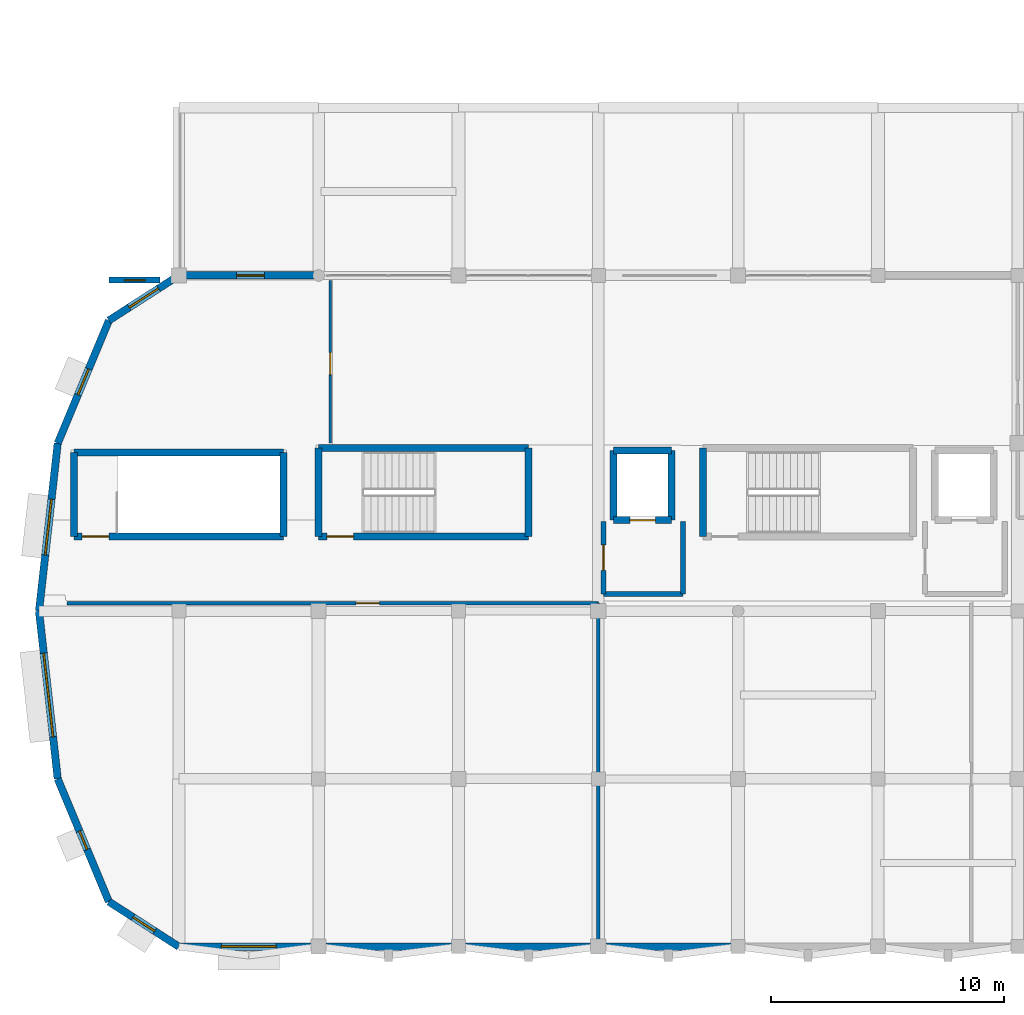
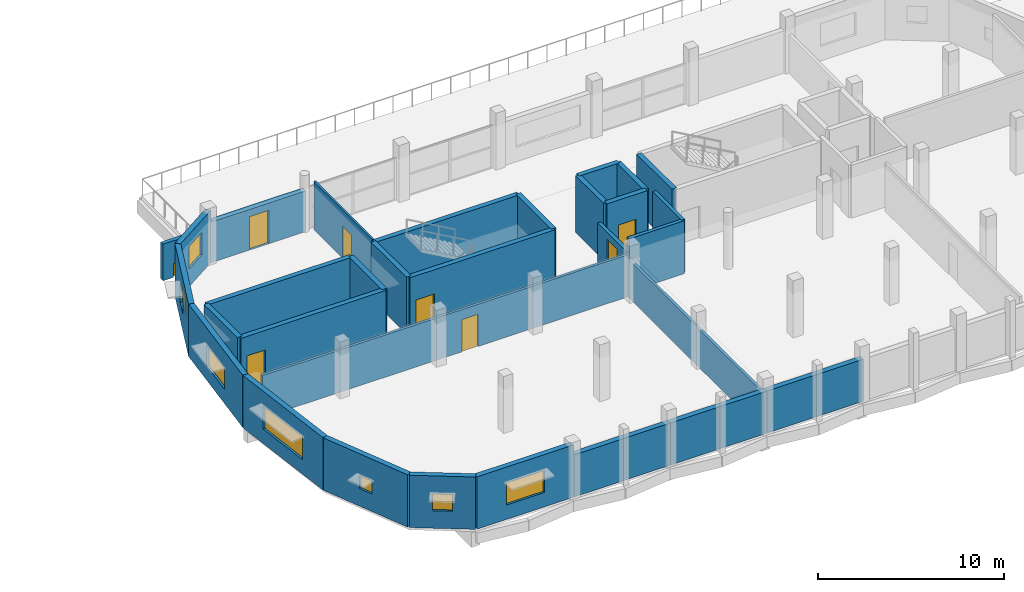
# One storey, part 12 of 19: 31 walls, 8 doors, 7 windows, 15 openings.
"""IFC4 building model written with IfcOpenShell, lengths in metres."""

from ifc_helpers import new_model, si_unit, direction, frame, frame_2d, origin, place, context, subcontext, project, spatial, rectangle, extrude, material, layer, layer_set, type_object, element, fill, save


model = new_model("IFC4")

# Units and contexts
model_context = context("Model", 3, precision=1e-05, world=origin(), true_north=direction((0.0, 1.0)))
body_context = subcontext(model_context, "Body", "Model", "MODEL_VIEW")
ifc_project = project(units=[si_unit("LENGTHUNIT", "METRE"), si_unit("AREAUNIT", "SQUARE_METRE"), si_unit("VOLUMEUNIT", "CUBIC_METRE"), si_unit("PLANEANGLEUNIT", "RADIAN"), si_unit("MASSUNIT", "GRAM", prefix="KILO")], contexts=[model_context])

# Site, building, storey
site_placement = place(None, origin())
site = spatial("IfcSite", under=ifc_project, at=site_placement, CompositionType="ELEMENT")
building_placement = place(site_placement, origin())
building = spatial("IfcBuilding", under=site, at=building_placement, Name="Dunvalen Ferry Terminal", CompositionType="ELEMENT")
storey_placement = place(building_placement, frame((0.0, 0.0, 13.580078125)))
storey = spatial("IfcBuildingStorey", under=building, at=storey_placement, Name="L03", CompositionType="ELEMENT", Elevation=13.580078125)

# Wall, opening, door
ifc_material_1 = material(Name="Concrete C40/50", Category="concrete")
ifc_layer_1 = layer(ifc_material_1, 0.25, Name="Concrete C40/50")
ifc_layer_set_1 = layer_set([ifc_layer_1], Name="Concrete C40/50")
wall_type_1 = type_object("IfcWallType", Name="ENV-WL-OVR250", PredefinedType="SOLIDWALL", material=ifc_layer_set_1)
wall_1_placement = place(storey_placement, frame((15.0, 28.60009765625, 0.0), z_axis=(0.0, 0.0, 1.0), x_axis=(1.0, 0.0, 0.0)))
wall_1 = element("IfcWall", 1, at=wall_1_placement, inside=storey, type_object=wall_type_1, Name="L03 Marine Services Riser Bulkhead", PredefinedType="SOLIDWALL", context=body_context, shape_type="SweptSolid", body=[
    extrude(rectangle(XDim=2.199951171875, YDim=0.25, at=frame_2d((1.10009765625, 0.0))), origin(), (0.0, 0.0, 1.0), 2.39990234375),
])
opening_1_placement = place(wall_1_placement, frame((0.64990234375, 0.0, 0.0)))
opening_1 = element("IfcOpeningElement", 2, at=opening_1_placement, cuts=wall_1, Name="Opening TD-01", PredefinedType="OPENING", context=body_context, shape_type="SweptSolid", body=[
    extrude(rectangle(XDim=0.89990234375, YDim=0.89990234375, at=frame_2d((0.449951171875, 0.449951171875))), frame((0.0, 0.135009765625, 0.0), z_axis=(0.0, -1.0, 0.0), x_axis=(1.0, 0.0, 0.0)), (0.0, 0.0, 1.0), 0.27001953125),
])
ifc_material_2 = material(Name="Marine grade powder-coated aluminium and laminated glass", Category="aluminium")
door_type_1 = type_object("IfcDoorType", Name="ENV-DR-TRP-900", OperationType="SINGLE_SWING_LEFT", PredefinedType="TRAPDOOR", material=ifc_material_2)
door_1_placement = place(opening_1_placement, origin())
door_1 = element("IfcDoor", 3, at=door_1_placement, inside=storey, type_object=door_type_1, Name="L03 Riser Maintenance Access Trapdoor", OperationType="SINGLE_SWING_LEFT", OverallHeight=0.89990234375, OverallWidth=0.89990234375, PredefinedType="TRAPDOOR", context=body_context, shape_type="SweptSolid", body=[
    extrude(rectangle(XDim=0.89990234375, YDim=0.89990234375, at=frame_2d((0.449951171875, 0.449951171875))), frame((0.0, 0.02490234375, 0.0), z_axis=(0.0, -1.0, 0.0), x_axis=(1.0, 0.0, 0.0)), (0.0, 0.0, 1.0), 0.050048828125),
])
fill(opening_1, door_1)

# Wall, opening, window
ifc_material_3 = material(Name="Precast concrete C40/50", Category="concrete")
ifc_layer_2 = layer(ifc_material_3, 0.320068359375, Name="Precast concrete C40/50")
ifc_layer_set_2 = layer_set([ifc_layer_2], Name="Precast concrete C40/50")
wall_type_2 = type_object("IfcWallType", Name="ENV-WL-SPN320", PredefinedType="SOLIDWALL", material=ifc_layer_set_2)
wall_2_placement = place(storey_placement, frame((18.0, 0.0, 0.0), z_axis=(0.0, 0.0, 1.0), x_axis=(1.0, 0.0, 0.0)))
wall_2 = element("IfcWall", 4, at=wall_2_placement, inside=storey, type_object=wall_type_2, Name="L03 Streamline Moderne Facade Wall 01.01", PredefinedType="SOLIDWALL", context=body_context, shape_type="SweptSolid", body=[
    extrude(rectangle(XDim=6.0, YDim=0.320068359375, at=frame_2d((3.0, 0.0))), origin(), (0.0, 0.0, 1.0), 3.43994140625),
])
opening_2_placement = place(wall_2_placement, frame((1.824951171875, 0.0, 0.949951171875)))
opening_2 = element("IfcOpeningElement", 5, at=opening_2_placement, cuts=wall_2, Name="Opening W-39", PredefinedType="OPENING", context=body_context, shape_type="SweptSolid", body=[
    extrude(rectangle(XDim=2.35009765625, YDim=1.449951171875, at=frame_2d((1.175048828125, 0.72509765625))), frame((0.0, 0.169921875, 0.0), z_axis=(0.0, -1.0, 0.0), x_axis=(1.0, 0.0, 0.0)), (0.0, 0.0, 1.0), 0.340087890625),
])
ifc_material_4 = material(Name="Thermally broken aluminium and double glazing", Category="aluminium")
window_type_1 = type_object("IfcWindowType", Name="ENV-WIN-RIB-39", PartitioningType="SINGLE_PANEL", PredefinedType="WINDOW", material=ifc_material_4)
window_1_placement = place(opening_2_placement, origin())
window_1 = element("IfcWindow", 6, at=window_1_placement, inside=storey, type_object=window_type_1, Name="L03 Streamline Ribbon Window 01.01", OverallHeight=1.449951171875, OverallWidth=2.35009765625, PartitioningType="SINGLE_PANEL", PredefinedType="WINDOW", context=body_context, shape_type="SweptSolid", body=[
    extrude(rectangle(XDim=2.35009765625, YDim=1.449951171875, at=frame_2d((1.175048828125, 0.72509765625))), frame((0.0, 0.030029296875, 0.0), z_axis=(0.0, -1.0, 0.0), x_axis=(1.0, 0.0, 0.0)), (0.0, 0.0, 1.0), 0.06005859375),
])
fill(opening_2, window_1)

# Walls
for number, where, z_axis, x_axis, name in (
    (7, (24.0, 0.0, 0.0), (0.0, 0.0, 1.0), (1.0, 0.0, 0.0), "L03 Streamline Moderne Facade Wall 01.02"),
    (8, (30.0, 0.0, 0.0), (0.0, 0.0, 1.0), (1.0, 0.0, 0.0), "L03 Streamline Moderne Facade Wall 01.03"),
    (9, (36.0, 0.0, 0.0), (0.0, 0.0, 1.0), (1.0, 0.0, 0.0), "L03 Streamline Moderne Facade Wall 01.04"),
):
    element("IfcWall", number, at=place(storey_placement, frame(where, z_axis=z_axis, x_axis=x_axis)), inside=storey, type_object=wall_type_2, Name=name, PredefinedType="SOLIDWALL", context=body_context, shape_type="SweptSolid", body=[
        extrude(rectangle(XDim=6.0, YDim=0.320068359375, at=frame_2d((3.0, 0.0))), origin(), (0.0, 0.0, 1.0), 2.77001953125),
    ])

# Wall, opening, door
wall_3_placement = place(storey_placement, frame((24.0, 28.800048828125, 0.0), z_axis=(0.0, 0.0, 1.0), x_axis=(-1.0, 0.0, 0.0)))
wall_3 = element("IfcWall", 10, at=wall_3_placement, inside=storey, type_object=wall_type_2, Name="L03 Streamline Moderne Facade Wall 08.07", PredefinedType="SOLIDWALL", context=body_context, shape_type="SweptSolid", body=[
    extrude(rectangle(XDim=6.0, YDim=0.320068359375, at=frame_2d((3.0, 0.0))), origin(), (0.0, 0.0, 1.0), 2.669921875),
])
opening_3_placement = place(wall_3_placement, frame((2.32373046875, 0.0, 0.0)))
opening_3 = element("IfcOpeningElement", 11, at=opening_3_placement, cuts=wall_3, Name="Opening ED-05", PredefinedType="OPENING", context=body_context, shape_type="SweptSolid", body=[
    extrude(rectangle(XDim=1.199951171875, YDim=2.199951171875, at=frame_2d((0.60009765625, 1.10009765625))), frame((0.0, 0.169921875, 0.0), z_axis=(0.0, -1.0, 0.0), x_axis=(1.0, 0.0, 0.0)), (0.0, 0.0, 1.0), 0.340087890625),
])
door_type_2 = type_object("IfcDoorType", Name="ENV-DR-EXT-1200", OperationType="NOTDEFINED", PredefinedType="DOOR", material=ifc_material_2)
door_2_placement = place(opening_3_placement, frame((1.199951171875, 0.0, 0.0), z_axis=(0.0, 0.0, 1.0), x_axis=(-1.0, 0.0, 0.0)))
door_2 = element("IfcDoor", 12, at=door_2_placement, inside=storey, type_object=door_type_2, Name="L03 Stepped Harbour Terrace Door 7.6", OperationType="SINGLE_SWING_LEFT", OverallHeight=2.199951171875, OverallWidth=1.199951171875, PredefinedType="DOOR", context=body_context, shape_type="SweptSolid", body=[
    extrude(rectangle(XDim=1.199951171875, YDim=2.199951171875, at=frame_2d((0.60009765625, 1.10009765625))), frame((0.0, 0.02490234375, 0.0), z_axis=(0.0, -1.0, 0.0), x_axis=(1.0, 0.0, 0.0)), (0.0, 0.0, 1.0), 0.050048828125),
])
fill(opening_3, door_2)

# Wall, opening, window
wall_4_placement = place(storey_placement, frame((18.0, 28.800048828125, 0.0), z_axis=(0.0, 0.0, 1.0), x_axis=(-0.841098403344, -0.540882127541, 0.0)))
wall_4 = element("IfcWall", 13, at=wall_4_placement, inside=storey, type_object=wall_type_2, Name="L03 Streamline Moderne Facade Wall 09.01", PredefinedType="SOLIDWALL", context=body_context, shape_type="SweptSolid", body=[
    extrude(rectangle(XDim=3.566650390625, YDim=0.320068359375, at=frame_2d((1.783203125, 0.0))), origin(), (0.0, 0.0, 1.0), 3.43994140625),
])
opening_4_placement = place(wall_4_placement, frame((1.033447265625, 0.0, 1.14990234375)))
opening_4 = element("IfcOpeningElement", 14, at=opening_4_placement, cuts=wall_4, Name="Opening W-44", PredefinedType="OPENING", context=body_context, shape_type="SweptSolid", body=[
    extrude(rectangle(XDim=1.5, YDim=1.5, at=frame_2d((0.75, 0.75))), frame((0.0, 0.169921875, 0.0), z_axis=(0.0, -1.0, 0.0), x_axis=(1.0, 0.0, 0.0)), (0.0, 0.0, 1.0), 0.340087890625),
])
window_type_2 = type_object("IfcWindowType", Name="ENV-WIN-PRT-44", PartitioningType="SINGLE_PANEL", PredefinedType="WINDOW", material=ifc_material_4)
window_2_placement = place(opening_4_placement, origin())
window_2 = element("IfcWindow", 15, at=window_2_placement, inside=storey, type_object=window_type_2, Name="L03 Streamline Ribbon Window 09.01", OverallHeight=1.5, OverallWidth=1.5, PartitioningType="SINGLE_PANEL", PredefinedType="WINDOW", context=body_context, shape_type="SweptSolid", body=[
    extrude(rectangle(XDim=1.5, YDim=1.5, at=frame_2d((0.75, 0.75))), frame((0.0, 0.030029296875, 0.0), z_axis=(0.0, -1.0, 0.0), x_axis=(1.0, 0.0, 0.0)), (0.0, 0.0, 1.0), 0.06005859375),
])
fill(opening_4, window_2)

wall_5_placement = place(storey_placement, frame((15.0, 26.870849609375, 0.0), z_axis=(0.0, 0.0, 1.0), x_axis=(-0.384636636219, -0.923068067955, 0.0)))
wall_5 = element("IfcWall", 16, at=wall_5_placement, inside=storey, type_object=wall_type_2, Name="L03 Streamline Moderne Facade Wall 10.01", PredefinedType="SOLIDWALL", context=body_context, shape_type="SweptSolid", body=[
    extrude(rectangle(XDim=5.7099609375, YDim=0.320068359375, at=frame_2d((2.85498046875, 0.0))), origin(), (0.0, 0.0, 1.0), 3.43994140625),
])
opening_5_placement = place(wall_5_placement, frame((2.2548828125, 0.0, 1.14990234375)))
opening_5 = element("IfcOpeningElement", 17, at=opening_5_placement, cuts=wall_5, Name="Opening W-17", PredefinedType="OPENING", context=body_context, shape_type="SweptSolid", body=[
    extrude(rectangle(XDim=1.199951171875, YDim=1.199951171875, at=frame_2d((0.60009765625, 0.60009765625))), frame((0.0, 0.169921875, 0.0), z_axis=(0.0, -1.0, 0.0), x_axis=(1.0, 0.0, 0.0)), (0.0, 0.0, 1.0), 0.340087890625),
])
window_type_3 = type_object("IfcWindowType", Name="ENV-WIN-PRT-17", PartitioningType="SINGLE_PANEL", PredefinedType="WINDOW", material=ifc_material_4)
window_3_placement = place(opening_5_placement, origin())
window_3 = element("IfcWindow", 18, at=window_3_placement, inside=storey, type_object=window_type_3, Name="L03 Streamline Ribbon Window 10.01", OverallHeight=1.199951171875, OverallWidth=1.199951171875, PartitioningType="SINGLE_PANEL", PredefinedType="WINDOW", context=body_context, shape_type="SweptSolid", body=[
    extrude(rectangle(XDim=1.199951171875, YDim=1.199951171875, at=frame_2d((0.60009765625, 0.60009765625))), frame((0.0, 0.030029296875, 0.0), z_axis=(0.0, -1.0, 0.0), x_axis=(1.0, 0.0, 0.0)), (0.0, 0.0, 1.0), 0.06005859375),
])
fill(opening_5, window_3)

wall_6_placement = place(storey_placement, frame((12.8037109375, 21.60009765625, 0.0), z_axis=(0.0, 0.0, 1.0), x_axis=(-0.110934519414, -0.993827717667, 0.0)))
wall_6 = element("IfcWall", 19, at=wall_6_placement, inside=storey, type_object=wall_type_2, Name="L03 Streamline Moderne Facade Wall 11.01", PredefinedType="SOLIDWALL", context=body_context, shape_type="SweptSolid", body=[
    extrude(rectangle(XDim=7.244873046875, YDim=0.320068359375, at=frame_2d((3.62255859375, 0.0))), origin(), (0.0, 0.0, 1.0), 3.43994140625),
])
opening_6_placement = place(wall_6_placement, frame((2.42236328125, 0.0, 0.949951171875)))
opening_6 = element("IfcOpeningElement", 20, at=opening_6_placement, cuts=wall_6, Name="Opening W-10", PredefinedType="OPENING", context=body_context, shape_type="SweptSolid", body=[
    extrude(rectangle(XDim=2.39990234375, YDim=1.35009765625, at=frame_2d((1.199951171875, 0.675048828125))), frame((0.0, 0.169921875, 0.0), z_axis=(0.0, -1.0, 0.0), x_axis=(1.0, 0.0, 0.0)), (0.0, 0.0, 1.0), 0.340087890625),
])
window_type_4 = type_object("IfcWindowType", Name="ENV-WIN-RIB-10", PartitioningType="SINGLE_PANEL", PredefinedType="WINDOW", material=ifc_material_4)
window_4_placement = place(opening_6_placement, origin())
window_4 = element("IfcWindow", 21, at=window_4_placement, inside=storey, type_object=window_type_4, Name="L03 Streamline Ribbon Window 11.01", OverallHeight=1.35009765625, OverallWidth=2.39990234375, PartitioningType="SINGLE_PANEL", PredefinedType="WINDOW", context=body_context, shape_type="SweptSolid", body=[
    extrude(rectangle(XDim=2.39990234375, YDim=1.35009765625, at=frame_2d((1.199951171875, 0.675048828125))), frame((0.0, 0.030029296875, 0.0), z_axis=(0.0, -1.0, 0.0), x_axis=(1.0, 0.0, 0.0)), (0.0, 0.0, 1.0), 0.06005859375),
])
fill(opening_6, window_4)

wall_7_placement = place(storey_placement, frame((12.0, 14.39990234375, 0.0), z_axis=(0.0, 0.0, 1.0), x_axis=(0.110938234759, -0.99382730294, 0.0)))
wall_7 = element("IfcWall", 22, at=wall_7_placement, inside=storey, type_object=wall_type_2, Name="L03 Streamline Moderne Facade Wall 12.01", PredefinedType="SOLIDWALL", context=body_context, shape_type="SweptSolid", body=[
    extrude(rectangle(XDim=7.24462890625, YDim=0.320068359375, at=frame_2d((3.622314453125, 0.0))), origin(), (0.0, 0.0, 1.0), 3.43994140625),
])
opening_7_placement = place(wall_7_placement, frame((1.822509765625, 0.0, 0.949951171875)))
opening_7 = element("IfcOpeningElement", 23, at=opening_7_placement, cuts=wall_7, Name="Opening W-23", PredefinedType="OPENING", context=body_context, shape_type="SweptSolid", body=[
    extrude(rectangle(XDim=3.60009765625, YDim=1.5, at=frame_2d((1.800048828125, 0.75))), frame((0.0, 0.169921875, 0.0), z_axis=(0.0, -1.0, 0.0), x_axis=(1.0, 0.0, 0.0)), (0.0, 0.0, 1.0), 0.340087890625),
])
window_type_5 = type_object("IfcWindowType", Name="ENV-WIN-RIB-23", PartitioningType="SINGLE_PANEL", PredefinedType="WINDOW", material=ifc_material_4)
window_5_placement = place(opening_7_placement, origin())
window_5 = element("IfcWindow", 24, at=window_5_placement, inside=storey, type_object=window_type_5, Name="L03 Streamline Ribbon Window 12.01", OverallHeight=1.5, OverallWidth=3.60009765625, PartitioningType="SINGLE_PANEL", PredefinedType="WINDOW", context=body_context, shape_type="SweptSolid", body=[
    extrude(rectangle(XDim=3.60009765625, YDim=1.5, at=frame_2d((1.800048828125, 0.75))), frame((0.0, 0.030029296875, 0.0), z_axis=(0.0, -1.0, 0.0), x_axis=(1.0, 0.0, 0.0)), (0.0, 0.0, 1.0), 0.06005859375),
])
fill(opening_7, window_5)

wall_8_placement = place(storey_placement, frame((12.8037109375, 7.199951171875, 0.0), z_axis=(0.0, 0.0, 1.0), x_axis=(0.384636636219, -0.923068067955, 0.0)))
wall_8 = element("IfcWall", 25, at=wall_8_placement, inside=storey, type_object=wall_type_2, Name="L03 Streamline Moderne Facade Wall 13.01", PredefinedType="SOLIDWALL", context=body_context, shape_type="SweptSolid", body=[
    extrude(rectangle(XDim=5.7099609375, YDim=0.320068359375, at=frame_2d((2.85498046875, 0.0))), origin(), (0.0, 0.0, 1.0), 3.43994140625),
])
opening_8_placement = place(wall_8_placement, frame((2.429931640625, 0.0, 1.14990234375)))
opening_8 = element("IfcOpeningElement", 26, at=opening_8_placement, cuts=wall_8, Name="Opening W-20", PredefinedType="OPENING", context=body_context, shape_type="SweptSolid", body=[
    extrude(rectangle(XDim=0.85009765625, YDim=0.85009765625, at=frame_2d((0.425048828125, 0.425048828125))), frame((0.0, 0.169921875, 0.0), z_axis=(0.0, -1.0, 0.0), x_axis=(1.0, 0.0, 0.0)), (0.0, 0.0, 1.0), 0.340087890625),
])
window_type_6 = type_object("IfcWindowType", Name="ENV-WIN-PRT-20", PartitioningType="SINGLE_PANEL", PredefinedType="WINDOW", material=ifc_material_4)
window_6_placement = place(opening_8_placement, origin())
window_6 = element("IfcWindow", 27, at=window_6_placement, inside=storey, type_object=window_type_6, Name="L03 Streamline Ribbon Window 13.01", OverallHeight=0.85009765625, OverallWidth=0.85009765625, PartitioningType="SINGLE_PANEL", PredefinedType="WINDOW", context=body_context, shape_type="SweptSolid", body=[
    extrude(rectangle(XDim=0.85009765625, YDim=0.85009765625, at=frame_2d((0.425048828125, 0.425048828125))), frame((0.0, 0.030029296875, 0.0), z_axis=(0.0, -1.0, 0.0), x_axis=(1.0, 0.0, 0.0)), (0.0, 0.0, 1.0), 0.06005859375),
])
fill(opening_8, window_6)

wall_9_placement = place(storey_placement, frame((15.0, 1.92919921875, 0.0), z_axis=(0.0, 0.0, 1.0), x_axis=(0.841098403344, -0.540882127541, 0.0)))
wall_9 = element("IfcWall", 28, at=wall_9_placement, inside=storey, type_object=wall_type_2, Name="L03 Streamline Moderne Facade Wall 14.01", PredefinedType="SOLIDWALL", context=body_context, shape_type="SweptSolid", body=[
    extrude(rectangle(XDim=3.566650390625, YDim=0.320068359375, at=frame_2d((1.783203125, 0.0))), origin(), (0.0, 0.0, 1.0), 3.43994140625),
])
opening_9_placement = place(wall_9_placement, frame((1.2333984375, 0.0, 1.14990234375)))
opening_9 = element("IfcOpeningElement", 29, at=opening_9_placement, cuts=wall_9, Name="Opening W-41", PredefinedType="OPENING", context=body_context, shape_type="SweptSolid", body=[
    extrude(rectangle(XDim=1.10009765625, YDim=1.10009765625, at=frame_2d((0.550048828125, 0.550048828125))), frame((0.0, 0.169921875, 0.0), z_axis=(0.0, -1.0, 0.0), x_axis=(1.0, 0.0, 0.0)), (0.0, 0.0, 1.0), 0.340087890625),
])
window_type_7 = type_object("IfcWindowType", Name="ENV-WIN-PRT-41", PartitioningType="SINGLE_PANEL", PredefinedType="WINDOW", material=ifc_material_4)
window_7_placement = place(opening_9_placement, origin())
window_7 = element("IfcWindow", 30, at=window_7_placement, inside=storey, type_object=window_type_7, Name="L03 Streamline Ribbon Window 14.01", OverallHeight=1.10009765625, OverallWidth=1.10009765625, PartitioningType="SINGLE_PANEL", PredefinedType="WINDOW", context=body_context, shape_type="SweptSolid", body=[
    extrude(rectangle(XDim=1.10009765625, YDim=1.10009765625, at=frame_2d((0.550048828125, 0.550048828125))), frame((0.0, 0.030029296875, 0.0), z_axis=(0.0, -1.0, 0.0), x_axis=(1.0, 0.0, 0.0)), (0.0, 0.0, 1.0), 0.06005859375),
])
fill(opening_9, window_7)

# Walls
ifc_material_5 = material(Name="Concrete C35/45", Category="concrete")
ifc_layer_3 = layer(ifc_material_5, 0.219970703125, Name="Concrete C35/45")
ifc_layer_set_3 = layer_set([ifc_layer_3], Name="Concrete C35/45")
wall_type_3 = type_object("IfcWallType", Name="INT-WL-CMP220", PredefinedType="SOLIDWALL", material=ifc_layer_set_3)
wall_10_placement = place(storey_placement, frame((36.219970703125, 15.139892578125, 0.0), z_axis=(0.0, 0.0, 1.0), x_axis=(1.0, 0.0, 0.0)))
element("IfcWall", 31, at=wall_10_placement, inside=storey, type_object=wall_type_3, Name="L03 L03 Firefighting Lift Lobby LF-01 Partition 1", PredefinedType="SOLIDWALL", context=body_context, shape_type="SweptSolid", body=[
    extrude(rectangle(XDim=3.419921875, YDim=0.219970703125, at=frame_2d((1.7099609375, 0.0))), origin(), (0.0, 0.0, 1.0), 3.47998046875),
])
wall_11_placement = place(storey_placement, frame((39.639892578125, 15.139892578125, 0.0), z_axis=(0.0, 0.0, 1.0), x_axis=(0.0, 1.0, 0.0)))
element("IfcWall", 32, at=wall_11_placement, inside=storey, type_object=wall_type_3, Name="L03 L03 Firefighting Lift Lobby LF-01 Partition 2", PredefinedType="SOLIDWALL", context=body_context, shape_type="SweptSolid", body=[
    extrude(rectangle(XDim=3.110107421875, YDim=0.219970703125, at=frame_2d((1.55517578125, 0.0))), origin(), (0.0, 0.0, 1.0), 3.47998046875),
])

# Wall, opening, door
wall_12_placement = place(storey_placement, frame((36.219970703125, 18.25, 0.0), z_axis=(0.0, 0.0, 1.0), x_axis=(0.0, -1.0, 0.0)))
wall_12 = element("IfcWall", 33, at=wall_12_placement, inside=storey, type_object=wall_type_3, Name="L03 L03 Firefighting Lift Lobby LF-01 Partition 10", PredefinedType="SOLIDWALL", context=body_context, shape_type="SweptSolid", body=[
    extrude(rectangle(XDim=3.110107421875, YDim=0.219970703125, at=frame_2d((1.55517578125, 0.0))), origin(), (0.0, 0.0, 1.0), 2.619873046875),
])
opening_10_placement = place(wall_12_placement, frame((1.0048828125, 0.0, 0.0)))
opening_10 = element("IfcOpeningElement", 34, at=opening_10_placement, cuts=wall_12, Name="Opening ID-03", PredefinedType="OPENING", context=body_context, shape_type="SweptSolid", body=[
    extrude(rectangle(XDim=1.10009765625, YDim=2.14990234375, at=frame_2d((0.550048828125, 1.074951171875))), frame((0.0, 0.1201171875, 0.0), z_axis=(0.0, -1.0, 0.0), x_axis=(1.0, 0.0, 0.0)), (0.0, 0.0, 1.0), 0.239990234375),
])
ifc_material_6 = material(Name="Powder-coated steel fire door", Category="steel")
door_type_3 = type_object("IfcDoorType", Name="INT-DR-FFL-1100", OperationType="NOTDEFINED", PredefinedType="DOOR", material=ifc_material_6)
door_3_placement = place(opening_10_placement, origin())
door_3 = element("IfcDoor", 35, at=door_3_placement, inside=storey, type_object=door_type_3, Name="L03 Firefighting Lift Lobby LF-01 Door", OperationType="SINGLE_SWING_RIGHT", OverallHeight=2.14990234375, OverallWidth=1.10009765625, PredefinedType="DOOR", context=body_context, shape_type="SweptSolid", body=[
    extrude(rectangle(XDim=1.10009765625, YDim=2.14990234375, at=frame_2d((0.550048828125, 1.074951171875))), frame((0.0, 0.02490234375, 0.0), z_axis=(0.0, -1.0, 0.0), x_axis=(1.0, 0.0, 0.0)), (0.0, 0.0, 1.0), 0.050048828125),
])
fill(opening_10, door_3)

ifc_material_7 = material(Name="Metal-stud partition", Category="gypsum")
ifc_layer_4 = layer(ifc_material_7, 0.125, Name="Metal-stud partition")
ifc_layer_set_4 = layer_set([ifc_layer_4], Name="Metal-stud partition")
wall_type_4 = type_object("IfcWallType", Name="INT-WL-PRT125", PredefinedType="PARTITIONING", material=ifc_layer_set_4)
wall_13_placement = place(storey_placement, frame((24.5, 21.610107421875, 0.0), z_axis=(0.0, 0.0, 1.0), x_axis=(0.0, 1.0, 0.0)))
wall_13 = element("IfcWall", 36, at=wall_13_placement, inside=storey, type_object=wall_type_4, Name="L03 L03 North Harbour Viewing and Weather Briefing Room Partition 1", PredefinedType="PARTITIONING", context=body_context, shape_type="SweptSolid", body=[
    extrude(rectangle(XDim=6.969970703125, YDim=0.125, at=frame_2d((3.48486328125, 0.0))), origin(), (0.0, 0.0, 1.0), 3.169921875),
])
opening_11_placement = place(wall_13_placement, frame((2.93359375, 0.0, 0.0)))
opening_11 = element("IfcOpeningElement", 37, at=opening_11_placement, cuts=wall_13, Name="Opening ID-12", PredefinedType="OPENING", context=body_context, shape_type="SweptSolid", body=[
    extrude(rectangle(XDim=0.949951171875, YDim=2.10009765625, at=frame_2d((0.47509765625, 1.050048828125))), frame((0.0, 0.072509765625, 0.0), z_axis=(0.0, -1.0, 0.0), x_axis=(1.0, 0.0, 0.0)), (0.0, 0.0, 1.0), 0.14501953125),
])
ifc_material_8 = material(Name="FSC European oak veneer door", Category="wood")
door_type_4 = type_object("IfcDoorType", Name="INT-DR-OFF-0950", OperationType="NOTDEFINED", PredefinedType="DOOR", material=ifc_material_8)
door_4_placement = place(opening_11_placement, origin())
door_4 = element("IfcDoor", 38, at=door_4_placement, inside=storey, type_object=door_type_4, Name="L03 North Harbour Viewing and Weather Briefing Room Door", OperationType="SINGLE_SWING_RIGHT", OverallHeight=2.10009765625, OverallWidth=0.949951171875, PredefinedType="DOOR", context=body_context, shape_type="SweptSolid", body=[
    extrude(rectangle(XDim=0.949951171875, YDim=2.10009765625, at=frame_2d((0.47509765625, 1.050048828125))), frame((0.0, 0.02490234375, 0.0), z_axis=(0.0, -1.0, 0.0), x_axis=(1.0, 0.0, 0.0)), (0.0, 0.0, 1.0), 0.050048828125),
])
fill(opening_11, door_4)

ifc_material_9 = material(Name="Moisture-resistant tile-backer partition", Category="gypsum")
ifc_layer_5 = layer(ifc_material_9, 0.159912109375, Name="Moisture-resistant tile-backer partition")
ifc_layer_set_5 = layer_set([ifc_layer_5], Name="Moisture-resistant tile-backer partition")
wall_type_5 = type_object("IfcWallType", Name="INT-WL-PRT160", PredefinedType="PARTITIONING", material=ifc_layer_set_5)
wall_14_placement = place(storey_placement, frame((36.0, 14.739990234375, 0.0), z_axis=(0.0, 0.0, 1.0), x_axis=(-1.0, 0.0, 0.0)))
wall_14 = element("IfcWall", 39, at=wall_14_placement, inside=storey, type_object=wall_type_5, Name="L03 L03 Dublin Bay Pilotage Command Suite Partition 1", PredefinedType="PARTITIONING", context=body_context, shape_type="SweptSolid", body=[
    extrude(rectangle(XDim=22.800048828125, YDim=0.159912109375, at=frame_2d((11.39990234375, 0.0))), origin(), (0.0, 0.0, 1.0), 2.77001953125),
])
opening_12_placement = place(wall_14_placement, frame((9.391357421875, 0.0, 0.0)))
opening_12 = element("IfcOpeningElement", 40, at=opening_12_placement, cuts=wall_14, Name="Opening ID-10", PredefinedType="OPENING", context=body_context, shape_type="SweptSolid", body=[
    extrude(rectangle(XDim=1.0, YDim=2.1201171875, at=frame_2d((0.5, 1.06005859375))), frame((0.0, 0.08984375, 0.0), z_axis=(0.0, -1.0, 0.0), x_axis=(1.0, 0.0, 0.0)), (0.0, 0.0, 1.0), 0.179931640625),
])
ifc_material_10 = material(Name="FSC European oak acoustic fire door", Category="wood")
door_type_5 = type_object("IfcDoorType", Name="INT-DR-OFF-1000", OperationType="NOTDEFINED", PredefinedType="DOOR", material=ifc_material_10)
door_5_placement = place(opening_12_placement, origin())
door_5 = element("IfcDoor", 41, at=door_5_placement, inside=storey, type_object=door_type_5, Name="L03 Dublin Bay Pilotage Command Suite Door", OperationType="SINGLE_SWING_LEFT", OverallHeight=2.1201171875, OverallWidth=1.0, PredefinedType="DOOR", context=body_context, shape_type="SweptSolid", body=[
    extrude(rectangle(XDim=1.0, YDim=2.1201171875, at=frame_2d((0.5, 1.06005859375))), frame((0.0, 0.02490234375, 0.0), z_axis=(0.0, -1.0, 0.0), x_axis=(1.0, 0.0, 0.0)), (0.0, 0.0, 1.0), 0.050048828125),
])
fill(opening_12, door_5)

# Walls
wall_15_placement = place(storey_placement, frame((36.0, 0.219970703125, 0.0), z_axis=(0.0, 0.0, 1.0), x_axis=(0.0, 1.0, 0.0)))
element("IfcWall", 42, at=wall_15_placement, inside=storey, type_object=wall_type_5, Name="L03 L03 Dublin Bay Pilotage Command Suite Partition 10", PredefinedType="PARTITIONING", context=body_context, shape_type="SweptSolid", body=[
    extrude(rectangle(XDim=14.52001953125, YDim=0.159912109375, at=frame_2d((7.260009765625, 0.0))), origin(), (0.0, 0.0, 1.0), 2.52001953125),
])
ifc_layer_6 = layer(ifc_material_1, 0.300048828125, Name="Concrete C40/50")
ifc_layer_set_6 = layer_set([ifc_layer_6], Name="Concrete C40/50")
wall_type_6 = type_object("IfcWallType", Name="STR-WL-SHR300", PredefinedType="SHEAR", material=ifc_layer_set_6)
for number, where, z_axis, x_axis, name in (
    (43, (24.0, 17.60009765625, 0.0), (0.0, 0.0, 1.0), (0.0, 1.0, 0.0), "L03 ST1 Core West Shear Wall"),
    (44, (33.0, 17.60009765625, 0.0), (0.0, 0.0, 1.0), (0.0, 1.0, 0.0), "L03 ST1 Core East Shear Wall"),
    (45, (40.5, 17.60009765625, 0.0), (0.0, 0.0, 1.0), (0.0, 1.0, 0.0), "L03 ST2 Core West Shear Wall"),
):
    element("IfcWall", number, at=place(storey_placement, frame(where, z_axis=z_axis, x_axis=x_axis)), inside=storey, type_object=wall_type_6, Name=name, PredefinedType="SHEAR", context=body_context, shape_type="SweptSolid", body=[
        extrude(rectangle(XDim=3.7998046875, YDim=0.300048828125, at=frame_2d((1.89990234375, 0.0))), origin(), (0.0, 0.0, 1.0), 3.739990234375),
    ])
for number, where, z_axis, x_axis, name in (
    (46, (13.5, 17.60009765625, 0.0), (0.0, 0.0, 1.0), (0.0, 1.0, 0.0), "L03 ST5 Core West Shear Wall"),
    (47, (22.5, 17.60009765625, 0.0), (0.0, 0.0, 1.0), (0.0, 1.0, 0.0), "L03 ST5 Core East Shear Wall"),
):
    element("IfcWall", number, at=place(storey_placement, frame(where, z_axis=z_axis, x_axis=x_axis)), inside=storey, type_object=wall_type_6, Name=name, PredefinedType="SHEAR", context=body_context, shape_type="SweptSolid", body=[
        extrude(rectangle(XDim=3.599853515625, YDim=0.300048828125, at=frame_2d((1.7998046875, 0.0))), origin(), (0.0, 0.0, 1.0), 3.43994140625),
    ])
wall_16_placement = place(storey_placement, frame((24.0, 21.39990234375, 0.0), z_axis=(0.0, 0.0, 1.0), x_axis=(1.0, 0.0, 0.0)))
element("IfcWall", 48, at=wall_16_placement, inside=storey, type_object=wall_type_6, Name="L03 ST1 Core North Shear Wall", PredefinedType="SHEAR", context=body_context, shape_type="SweptSolid", body=[
    extrude(rectangle(XDim=9.0, YDim=0.300048828125, at=frame_2d((4.5, 0.0))), origin(), (0.0, 0.0, 1.0), 3.739990234375),
])

# Wall, opening, door
wall_17_placement = place(storey_placement, frame((24.0, 17.60009765625, 0.0), z_axis=(0.0, 0.0, 1.0), x_axis=(1.0, 0.0, 0.0)))
wall_17 = element("IfcWall", 49, at=wall_17_placement, inside=storey, type_object=wall_type_6, Name="L03 ST1 Core South Shear Wall", PredefinedType="SHEAR", context=body_context, shape_type="SweptSolid", body=[
    extrude(rectangle(XDim=9.0, YDim=0.300048828125, at=frame_2d((4.5, 0.0))), origin(), (0.0, 0.0, 1.0), 3.739990234375),
])
opening_13_placement = place(wall_17_placement, frame((0.35009765625, 0.0, 0.0)))
opening_13 = element("IfcOpeningElement", 50, at=opening_13_placement, cuts=wall_17, Name="Opening ID-02", PredefinedType="OPENING", context=body_context, shape_type="SweptSolid", body=[
    extrude(rectangle(XDim=1.14990234375, YDim=2.14990234375, at=frame_2d((0.574951171875, 1.074951171875))), frame((0.0, 0.16015625, 0.0), z_axis=(0.0, -1.0, 0.0), x_axis=(1.0, 0.0, 0.0)), (0.0, 0.0, 1.0), 0.320068359375),
])
door_type_6 = type_object("IfcDoorType", Name="INT-DR-STR-1150", OperationType="NOTDEFINED", PredefinedType="DOOR", material=ifc_material_6)
door_6_placement = place(opening_13_placement, frame((1.14990234375, 0.0, 0.0), z_axis=(0.0, 0.0, 1.0), x_axis=(-1.0, 0.0, 0.0)))
door_6 = element("IfcDoor", 51, at=door_6_placement, inside=storey, type_object=door_type_6, Name="L03 ST1 Escape Stair Fire Door", OperationType="SINGLE_SWING_LEFT", OverallHeight=2.14990234375, OverallWidth=1.14990234375, PredefinedType="DOOR", context=body_context, shape_type="SweptSolid", body=[
    extrude(rectangle(XDim=1.14990234375, YDim=2.14990234375, at=frame_2d((0.574951171875, 1.074951171875))), frame((0.0, 0.02490234375, 0.0), z_axis=(0.0, -1.0, 0.0), x_axis=(1.0, 0.0, 0.0)), (0.0, 0.0, 1.0), 0.050048828125),
])
fill(opening_13, door_6)

# Wall
wall_18_placement = place(storey_placement, frame((13.5, 21.199951171875, 0.0), z_axis=(0.0, 0.0, 1.0), x_axis=(1.0, 0.0, 0.0)))
element("IfcWall", 52, at=wall_18_placement, inside=storey, type_object=wall_type_6, Name="L03 ST5 Core North Shear Wall", PredefinedType="SHEAR", context=body_context, shape_type="SweptSolid", body=[
    extrude(rectangle(XDim=9.0, YDim=0.300048828125, at=frame_2d((4.5, 0.0))), origin(), (0.0, 0.0, 1.0), 3.43994140625),
])

# Wall, opening, door
wall_19_placement = place(storey_placement, frame((13.5, 17.60009765625, 0.0), z_axis=(0.0, 0.0, 1.0), x_axis=(1.0, 0.0, 0.0)))
wall_19 = element("IfcWall", 53, at=wall_19_placement, inside=storey, type_object=wall_type_6, Name="L03 ST5 Core South Shear Wall", PredefinedType="SHEAR", context=body_context, shape_type="SweptSolid", body=[
    extrude(rectangle(XDim=9.0, YDim=0.300048828125, at=frame_2d((4.5, 0.0))), origin(), (0.0, 0.0, 1.0), 3.43994140625),
])
opening_14_placement = place(wall_19_placement, frame((0.35009765625, 0.0, 0.0)))
opening_14 = element("IfcOpeningElement", 54, at=opening_14_placement, cuts=wall_19, Name="Opening ID-02", PredefinedType="OPENING", context=body_context, shape_type="SweptSolid", body=[
    extrude(rectangle(XDim=1.14990234375, YDim=2.14990234375, at=frame_2d((0.574951171875, 1.074951171875))), frame((0.0, 0.16015625, 0.0), z_axis=(0.0, -1.0, 0.0), x_axis=(1.0, 0.0, 0.0)), (0.0, 0.0, 1.0), 0.320068359375),
])
door_7_placement = place(opening_14_placement, frame((1.14990234375, 0.0, 0.0), z_axis=(0.0, 0.0, 1.0), x_axis=(-1.0, 0.0, 0.0)))
door_7 = element("IfcDoor", 55, at=door_7_placement, inside=storey, type_object=door_type_6, Name="L03 ST5 Escape Stair Fire Door", OperationType="SINGLE_SWING_RIGHT", OverallHeight=2.14990234375, OverallWidth=1.14990234375, PredefinedType="DOOR", context=body_context, shape_type="SweptSolid", body=[
    extrude(rectangle(XDim=1.14990234375, YDim=2.14990234375, at=frame_2d((0.574951171875, 1.074951171875))), frame((0.0, 0.02490234375, 0.0), z_axis=(0.0, -1.0, 0.0), x_axis=(1.0, 0.0, 0.0)), (0.0, 0.0, 1.0), 0.050048828125),
])
fill(opening_14, door_7)

wall_20_placement = place(storey_placement, frame((36.64990234375, 18.300048828125, 0.0), z_axis=(0.0, 0.0, 1.0), x_axis=(1.0, 0.0, 0.0)))
wall_20 = element("IfcWall", 56, at=wall_20_placement, inside=storey, type_object=wall_type_6, Name="L03 LF-01 Lift Shaft S Wall", PredefinedType="SHEAR", context=body_context, shape_type="SweptSolid", body=[
    extrude(rectangle(XDim=2.5, YDim=0.300048828125, at=frame_2d((1.25, 0.0))), origin(), (0.0, 0.0, 1.0), 3.739990234375),
])
opening_15_placement = place(wall_20_placement, frame((0.699951171875, 0.0, 0.0)))
opening_15 = element("IfcOpeningElement", 57, at=opening_15_placement, cuts=wall_20, Name="Opening LD-01", PredefinedType="OPENING", context=body_context, shape_type="SweptSolid", body=[
    extrude(rectangle(XDim=1.10009765625, YDim=2.10009765625, at=frame_2d((0.550048828125, 1.050048828125))), frame((0.0, 0.16015625, 0.0), z_axis=(0.0, -1.0, 0.0), x_axis=(1.0, 0.0, 0.0)), (0.0, 0.0, 1.0), 0.320068359375),
])
ifc_material_11 = material(Name="Brushed 316 stainless steel", Category="steel")
door_type_7 = type_object("IfcDoorType", Name="INT-DR-LFT-1100", OperationType="SLIDING_TO_LEFT", PredefinedType="DOOR", material=ifc_material_11)
door_8_placement = place(opening_15_placement, origin())
door_8 = element("IfcDoor", 58, at=door_8_placement, inside=storey, type_object=door_type_7, Name="L03 LF-01 Lift Sliding Landing Door", OperationType="SLIDING_TO_LEFT", OverallHeight=2.10009765625, OverallWidth=1.10009765625, PredefinedType="DOOR", context=body_context, shape_type="SweptSolid", body=[
    extrude(rectangle(XDim=1.10009765625, YDim=2.10009765625, at=frame_2d((0.550048828125, 1.050048828125))), frame((0.0, 0.02490234375, 0.0), z_axis=(0.0, -1.0, 0.0), x_axis=(1.0, 0.0, 0.0)), (0.0, 0.0, 1.0), 0.050048828125),
])
fill(opening_15, door_8)

# Walls
wall_21_placement = place(storey_placement, frame((36.64990234375, 21.300048828125, 0.0), z_axis=(0.0, 0.0, 1.0), x_axis=(1.0, 0.0, 0.0)))
element("IfcWall", 59, at=wall_21_placement, inside=storey, type_object=wall_type_6, Name="L03 LF-01 Lift Shaft N Wall", PredefinedType="SHEAR", context=body_context, shape_type="SweptSolid", body=[
    extrude(rectangle(XDim=2.5, YDim=0.300048828125, at=frame_2d((1.25, 0.0))), origin(), (0.0, 0.0, 1.0), 3.739990234375),
])
for number, where, z_axis, x_axis, name in (
    (60, (36.64990234375, 18.300048828125, 0.0), (0.0, 0.0, 1.0), (0.0, 1.0, 0.0), "L03 LF-01 Lift Shaft W Wall"),
    (61, (39.14990234375, 18.300048828125, 0.0), (0.0, 0.0, 1.0), (0.0, 1.0, 0.0), "L03 LF-01 Lift Shaft E Wall"),
):
    element("IfcWall", number, at=place(storey_placement, frame(where, z_axis=z_axis, x_axis=x_axis)), inside=storey, type_object=wall_type_6, Name=name, PredefinedType="SHEAR", context=body_context, shape_type="SweptSolid", body=[
        extrude(rectangle(XDim=3.0, YDim=0.300048828125, at=frame_2d((1.5, 0.0))), origin(), (0.0, 0.0, 1.0), 3.739990234375),
    ])

save(model, "model.ifc")
